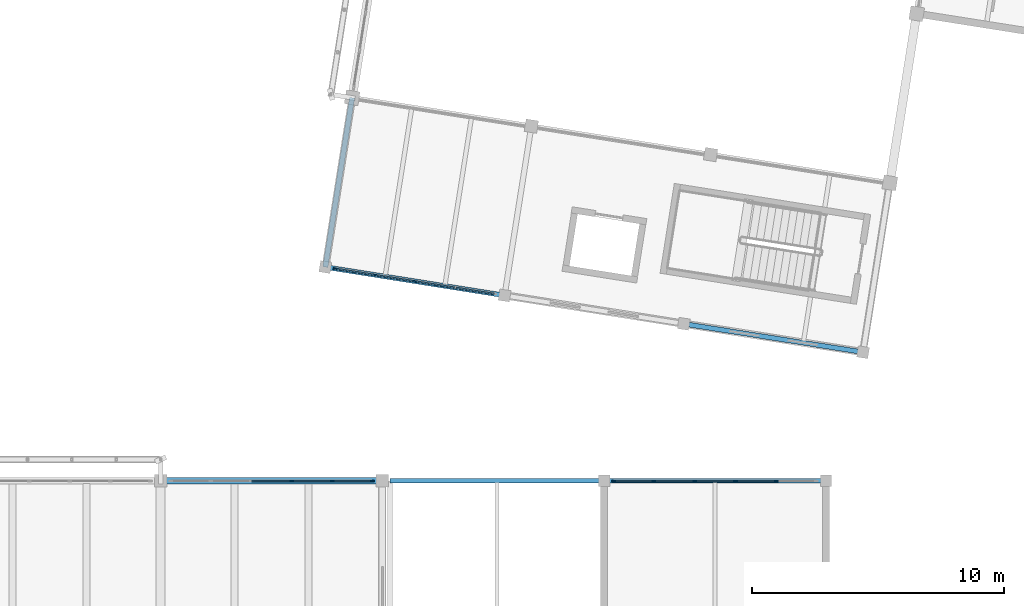
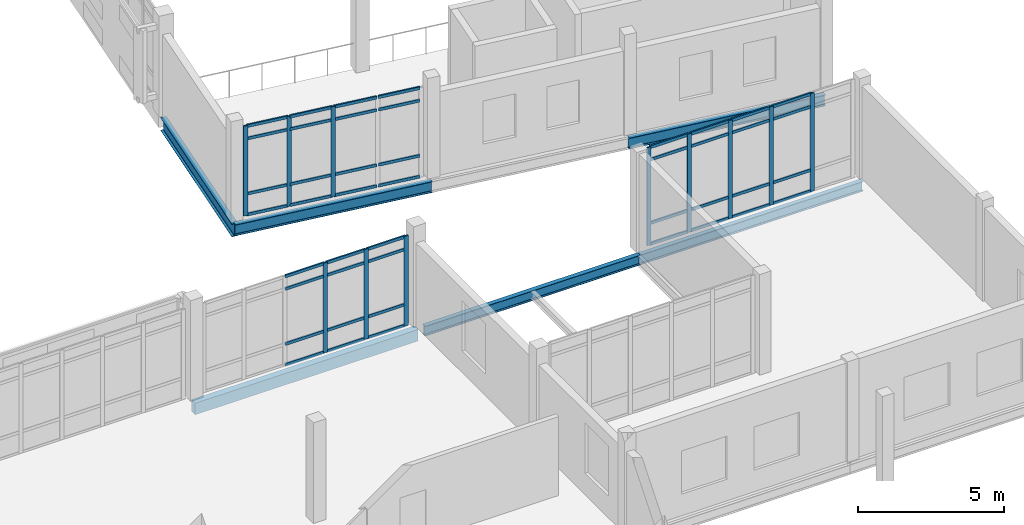
# One storey, part 36 of 137: 55 members, 6 beams, 3 elements without a shape of their own.
"""IFC4 building model written with IfcOpenShell, lengths in metres."""

from ifc_helpers import new_model, si_unit, direction, frame, origin, origin_2d, place, context, subcontext, project, spatial, rectangle, i_section, extrude, material, material_profile, profile_set, type_object, element, aggregate, save


model = new_model("IFC4")

# Units and contexts
model_context = context("Model", 3, precision=1e-05, world=origin(), true_north=direction((0.0, 1.0)))
body_context = subcontext(model_context, "Body", "Model", "MODEL_VIEW")
ifc_project = project(units=[si_unit("LENGTHUNIT", "METRE"), si_unit("AREAUNIT", "SQUARE_METRE"), si_unit("VOLUMEUNIT", "CUBIC_METRE"), si_unit("PLANEANGLEUNIT", "RADIAN"), si_unit("MASSUNIT", "GRAM", prefix="KILO")], contexts=[model_context])

# Site, building, storey
site_placement = place(None, origin())
site = spatial("IfcSite", under=ifc_project, at=site_placement, CompositionType="ELEMENT")
building_placement = place(site_placement, origin())
building = spatial("IfcBuilding", under=site, at=building_placement, Name="Cinderway Yard Community Centre", CompositionType="ELEMENT")
storey_placement = place(building_placement, frame((0.0, 0.0, 4.800048828125)))
storey = spatial("IfcBuildingStorey", under=building, at=storey_placement, Name="L01", CompositionType="ELEMENT", Elevation=4.800048828125)

# Curtain wall, members
ifc_material_1 = material(Name="Aluminium 6063-T6", Category="aluminium")
curtain_wall_type_1 = type_object("IfcCurtainWallType", Name="ENV-CW-TYPE-15", PredefinedType="USERDEFINED", material=ifc_material_1)
curtain_wall_1_placement = place(storey_placement, origin())
curtain_wall_1 = element("IfcCurtainWall", 1, at=curtain_wall_1_placement, inside=storey, type_object=curtain_wall_type_1, Name="Sports South Lobby Curtain Wall ENV-CW-L01-ST-0057", ObjectType="GLAZED CURTAIN WALL", PredefinedType="USERDEFINED")
ifc_material_profile_1 = material_profile(ifc_material_1, rectangle(XDim=0.06005859375, YDim=0.159912109375, at=origin_2d()), Name="Aluminium 6063-T6")
ifc_profile_set_1 = profile_set([ifc_material_profile_1], Name="Aluminium 6063-T6")
member_type_1 = type_object("IfcMemberType", Name="ENV-CW-MULL-150", PredefinedType="MULLION", material=ifc_profile_set_1)
member_1_placement = place(storey_placement, frame((117.321533203125, 31.223388671875, 0.0), z_axis=(0.0, 0.0, 1.0), x_axis=(0.156636128875, 0.987656379077, 0.0)))
member_1 = element("IfcMember", 2, at=member_1_placement, type_object=member_type_1, Name="CW-15 mullion 1", PredefinedType="MULLION", context=body_context, shape_type="SweptSolid", body=[
    extrude(rectangle(XDim=0.06005859375, YDim=0.159912109375, at=origin_2d()), origin(), (0.0, 0.0, 1.0), 3.75),
])
member_2_placement = place(storey_placement, frame((118.89208984375, 30.974365234375, 0.0), z_axis=(0.0, 0.0, 1.0), x_axis=(0.156636128875, 0.987656379077, 0.0)))
member_2 = element("IfcMember", 3, at=member_2_placement, type_object=member_type_1, Name="CW-15 mullion 2", PredefinedType="MULLION", context=body_context, shape_type="SweptSolid", body=[
    extrude(rectangle(XDim=0.06005859375, YDim=0.159912109375, at=origin_2d()), origin(), (0.0, 0.0, 1.0), 3.75),
])
member_3_placement = place(storey_placement, frame((120.491943359375, 30.720458984375, 0.0), z_axis=(0.0, 0.0, 1.0), x_axis=(0.156636128875, 0.987656379077, 0.0)))
member_3 = element("IfcMember", 4, at=member_3_placement, type_object=member_type_1, Name="CW-15 mullion 3", PredefinedType="MULLION", context=body_context, shape_type="SweptSolid", body=[
    extrude(rectangle(XDim=0.06005859375, YDim=0.159912109375, at=origin_2d()), origin(), (0.0, 0.0, 1.0), 3.75),
])

curtain_wall_type_2 = type_object("IfcCurtainWallType", Name="ENV-CW-TYPE-27", PredefinedType="USERDEFINED", material=ifc_material_1)
curtain_wall_2_placement = place(storey_placement, origin())
curtain_wall_2 = element("IfcCurtainWall", 5, at=curtain_wall_2_placement, inside=storey, type_object=curtain_wall_type_2, Name="Dining Courtyard Curtain Wall ENV-CW-L01-ST-0099", ObjectType="GLAZED CURTAIN WALL", PredefinedType="USERDEFINED")
member_4_placement = place(storey_placement, frame((115.60400390625, 22.800048828125, 0.0), z_axis=(0.0, 0.0, 1.0), x_axis=(0.0, 1.0, 0.0)))
member_4 = element("IfcMember", 6, at=member_4_placement, type_object=member_type_1, Name="CW-27 mullion 4", PredefinedType="MULLION", context=body_context, shape_type="SweptSolid", body=[
    extrude(rectangle(XDim=0.06005859375, YDim=0.159912109375, at=origin_2d()), origin(), (0.0, 0.0, 1.0), 3.75),
])
member_5_placement = place(storey_placement, frame((117.2119140625, 22.800048828125, 0.0), z_axis=(0.0, 0.0, 1.0), x_axis=(0.0, 1.0, 0.0)))
member_5 = element("IfcMember", 7, at=member_5_placement, type_object=member_type_1, Name="CW-27 mullion 5", PredefinedType="MULLION", context=body_context, shape_type="SweptSolid", body=[
    extrude(rectangle(XDim=0.06005859375, YDim=0.159912109375, at=origin_2d()), origin(), (0.0, 0.0, 1.0), 3.75),
])
member_6_placement = place(storey_placement, frame((118.7900390625, 22.800048828125, 0.0), z_axis=(0.0, 0.0, 1.0), x_axis=(0.0, 1.0, 0.0)))
member_6 = element("IfcMember", 8, at=member_6_placement, type_object=member_type_1, Name="CW-27 mullion 6", PredefinedType="MULLION", context=body_context, shape_type="SweptSolid", body=[
    extrude(rectangle(XDim=0.06005859375, YDim=0.159912109375, at=origin_2d()), origin(), (0.0, 0.0, 1.0), 3.75),
])

curtain_wall_type_3 = type_object("IfcCurtainWallType", Name="ENV-CW-TYPE-37", PredefinedType="USERDEFINED", material=ifc_material_1)
curtain_wall_3_placement = place(storey_placement, origin())
curtain_wall_3 = element("IfcCurtainWall", 9, at=curtain_wall_3_placement, inside=storey, type_object=curtain_wall_type_3, Name="East Arcade Kiosk Curtain Wall ENV-CW-L01-ST-0202", ObjectType="GLAZED CURTAIN WALL", PredefinedType="USERDEFINED")
member_7_placement = place(storey_placement, frame((128.3798828125, 22.800048828125, 0.0), z_axis=(0.0, 0.0, 1.0), x_axis=(0.0, 1.0, 0.0)))
member_7 = element("IfcMember", 10, at=member_7_placement, type_object=member_type_1, Name="CW-37 mullion 1", PredefinedType="MULLION", context=body_context, shape_type="SweptSolid", body=[
    extrude(rectangle(XDim=0.06005859375, YDim=0.159912109375, at=origin_2d()), origin(), (0.0, 0.0, 1.0), 4.099853515625),
])
member_8_placement = place(storey_placement, frame((129.969970703125, 22.800048828125, 0.0), z_axis=(0.0, 0.0, 1.0), x_axis=(0.0, 1.0, 0.0)))
member_8 = element("IfcMember", 11, at=member_8_placement, type_object=member_type_1, Name="CW-37 mullion 2", PredefinedType="MULLION", context=body_context, shape_type="SweptSolid", body=[
    extrude(rectangle(XDim=0.06005859375, YDim=0.159912109375, at=origin_2d()), origin(), (0.0, 0.0, 1.0), 4.099853515625),
])
member_9_placement = place(storey_placement, frame((131.590087890625, 22.800048828125, 0.0), z_axis=(0.0, 0.0, 1.0), x_axis=(0.0, 1.0, 0.0)))
member_9 = element("IfcMember", 12, at=member_9_placement, type_object=member_type_1, Name="CW-37 mullion 3", PredefinedType="MULLION", context=body_context, shape_type="SweptSolid", body=[
    extrude(rectangle(XDim=0.06005859375, YDim=0.159912109375, at=origin_2d()), origin(), (0.0, 0.0, 1.0), 4.099853515625),
])
member_10_placement = place(storey_placement, frame((133.2099609375, 22.800048828125, 0.0), z_axis=(0.0, 0.0, 1.0), x_axis=(0.0, 1.0, 0.0)))
member_10 = element("IfcMember", 13, at=member_10_placement, type_object=member_type_1, Name="CW-37 mullion 4", PredefinedType="MULLION", context=body_context, shape_type="SweptSolid", body=[
    extrude(rectangle(XDim=0.06005859375, YDim=0.159912109375, at=origin_2d()), origin(), (0.0, 0.0, 1.0), 4.099853515625),
])
member_11_placement = place(storey_placement, frame((134.830078125, 22.800048828125, 0.0), z_axis=(0.0, 0.0, 1.0), x_axis=(0.0, 1.0, 0.0)))
member_11 = element("IfcMember", 14, at=member_11_placement, type_object=member_type_1, Name="CW-37 mullion 5", PredefinedType="MULLION", context=body_context, shape_type="SweptSolid", body=[
    extrude(rectangle(XDim=0.06005859375, YDim=0.159912109375, at=origin_2d()), origin(), (0.0, 0.0, 1.0), 4.099853515625),
])

# Member
ifc_material_profile_2 = material_profile(ifc_material_1, rectangle(XDim=0.06005859375, YDim=0.1201171875, at=origin_2d()), Name="Aluminium 6063-T6")
ifc_profile_set_2 = profile_set([ifc_material_profile_2], Name="Aluminium 6063-T6")
member_type_2 = type_object("IfcMemberType", Name="ENV-CW-TRAN-110", PredefinedType="USERDEFINED", material=ifc_profile_set_2)
member_12_placement = place(storey_placement, frame((117.351318359375, 31.218505859375, 0.030029296875), z_axis=(0.987669626151, -0.156552577679, 0.0), x_axis=(0.156552577679, 0.987669626151, 0.0)))
member_12 = element("IfcMember", 15, at=member_12_placement, type_object=member_type_2, Name="CW-15 transom 1.1", ObjectType="TRANSOM", PredefinedType="USERDEFINED", context=body_context, shape_type="SweptSolid", body=[
    extrude(rectangle(XDim=0.06005859375, YDim=0.1201171875, at=origin_2d()), origin(), (0.0, 0.0, 1.0), 1.52978515625),
])

member_13_placement = place(storey_placement, frame((117.351318359375, 31.218505859375, 0.89990234375), z_axis=(0.987669626151, -0.156552577679, 0.0), x_axis=(0.156552577679, 0.987669626151, 0.0)))
member_13 = element("IfcMember", 16, at=member_13_placement, type_object=member_type_2, Name="CW-15 transom 1.2", ObjectType="TRANSOM", PredefinedType="USERDEFINED", context=body_context, shape_type="SweptSolid", body=[
    extrude(rectangle(XDim=0.06005859375, YDim=0.1201171875, at=origin_2d()), origin(), (0.0, 0.0, 1.0), 1.52978515625),
])

member_14_placement = place(storey_placement, frame((117.351318359375, 31.218505859375, 3.199951171875), z_axis=(0.987669626151, -0.156552577679, 0.0), x_axis=(0.156552577679, 0.987669626151, 0.0)))
member_14 = element("IfcMember", 17, at=member_14_placement, type_object=member_type_2, Name="CW-15 transom 1.3", ObjectType="TRANSOM", PredefinedType="USERDEFINED", context=body_context, shape_type="SweptSolid", body=[
    extrude(rectangle(XDim=0.06005859375, YDim=0.1201171875, at=origin_2d()), origin(), (0.0, 0.0, 1.0), 1.52978515625),
])

member_15_placement = place(storey_placement, frame((117.351318359375, 31.218505859375, 3.719970703125), z_axis=(0.987669626151, -0.156552577679, 0.0), x_axis=(0.156552577679, 0.987669626151, 0.0)))
member_15 = element("IfcMember", 18, at=member_15_placement, type_object=member_type_2, Name="CW-15 transom 1.4", ObjectType="TRANSOM", PredefinedType="USERDEFINED", context=body_context, shape_type="SweptSolid", body=[
    extrude(rectangle(XDim=0.06005859375, YDim=0.1201171875, at=origin_2d()), origin(), (0.0, 0.0, 1.0), 1.52978515625),
])

member_16_placement = place(storey_placement, frame((118.921630859375, 30.969482421875, 0.030029296875), z_axis=(0.987653598494, -0.156653660607, 0.0), x_axis=(0.156653660607, 0.987653598494, 0.0)))
member_16 = element("IfcMember", 19, at=member_16_placement, type_object=member_type_2, Name="CW-15 transom 2.1", ObjectType="TRANSOM", PredefinedType="USERDEFINED", context=body_context, shape_type="SweptSolid", body=[
    extrude(rectangle(XDim=0.06005859375, YDim=0.1201171875, at=origin_2d()), origin(), (0.0, 0.0, 1.0), 1.56005859375),
])

member_17_placement = place(storey_placement, frame((118.921630859375, 30.969482421875, 0.89990234375), z_axis=(0.987653598494, -0.156653660607, 0.0), x_axis=(0.156653660607, 0.987653598494, 0.0)))
member_17 = element("IfcMember", 20, at=member_17_placement, type_object=member_type_2, Name="CW-15 transom 2.2", ObjectType="TRANSOM", PredefinedType="USERDEFINED", context=body_context, shape_type="SweptSolid", body=[
    extrude(rectangle(XDim=0.06005859375, YDim=0.1201171875, at=origin_2d()), origin(), (0.0, 0.0, 1.0), 1.56005859375),
])

member_18_placement = place(storey_placement, frame((118.921630859375, 30.969482421875, 3.199951171875), z_axis=(0.987653598494, -0.156653660607, 0.0), x_axis=(0.156653660607, 0.987653598494, 0.0)))
member_18 = element("IfcMember", 21, at=member_18_placement, type_object=member_type_2, Name="CW-15 transom 2.3", ObjectType="TRANSOM", PredefinedType="USERDEFINED", context=body_context, shape_type="SweptSolid", body=[
    extrude(rectangle(XDim=0.06005859375, YDim=0.1201171875, at=origin_2d()), origin(), (0.0, 0.0, 1.0), 1.56005859375),
])

member_19_placement = place(storey_placement, frame((118.921630859375, 30.969482421875, 3.719970703125), z_axis=(0.987653598494, -0.156653660607, 0.0), x_axis=(0.156653660607, 0.987653598494, 0.0)))
member_19 = element("IfcMember", 22, at=member_19_placement, type_object=member_type_2, Name="CW-15 transom 2.4", ObjectType="TRANSOM", PredefinedType="USERDEFINED", context=body_context, shape_type="SweptSolid", body=[
    extrude(rectangle(XDim=0.06005859375, YDim=0.1201171875, at=origin_2d()), origin(), (0.0, 0.0, 1.0), 1.56005859375),
])

member_20_placement = place(storey_placement, frame((120.521728515625, 30.7158203125, 0.030029296875), z_axis=(0.987649757105, -0.156677877474, 0.0), x_axis=(0.156677877474, 0.987649757105, 0.0)))
member_20 = element("IfcMember", 23, at=member_20_placement, type_object=member_type_2, Name="CW-15 transom 3.1", ObjectType="TRANSOM", PredefinedType="USERDEFINED", context=body_context, shape_type="SweptSolid", body=[
    extrude(rectangle(XDim=0.06005859375, YDim=0.1201171875, at=origin_2d()), origin(), (0.0, 0.0, 1.0), 1.559814453125),
])

member_21_placement = place(storey_placement, frame((120.521728515625, 30.7158203125, 0.89990234375), z_axis=(0.987649757105, -0.156677877474, 0.0), x_axis=(0.156677877474, 0.987649757105, 0.0)))
member_21 = element("IfcMember", 24, at=member_21_placement, type_object=member_type_2, Name="CW-15 transom 3.2", ObjectType="TRANSOM", PredefinedType="USERDEFINED", context=body_context, shape_type="SweptSolid", body=[
    extrude(rectangle(XDim=0.06005859375, YDim=0.1201171875, at=origin_2d()), origin(), (0.0, 0.0, 1.0), 1.559814453125),
])

member_22_placement = place(storey_placement, frame((120.521728515625, 30.7158203125, 3.199951171875), z_axis=(0.987649757105, -0.156677877474, 0.0), x_axis=(0.156677877474, 0.987649757105, 0.0)))
member_22 = element("IfcMember", 25, at=member_22_placement, type_object=member_type_2, Name="CW-15 transom 3.3", ObjectType="TRANSOM", PredefinedType="USERDEFINED", context=body_context, shape_type="SweptSolid", body=[
    extrude(rectangle(XDim=0.06005859375, YDim=0.1201171875, at=origin_2d()), origin(), (0.0, 0.0, 1.0), 1.559814453125),
])

member_23_placement = place(storey_placement, frame((120.521728515625, 30.7158203125, 3.719970703125), z_axis=(0.987649757105, -0.156677877474, 0.0), x_axis=(0.156677877474, 0.987649757105, 0.0)))
member_23 = element("IfcMember", 26, at=member_23_placement, type_object=member_type_2, Name="CW-15 transom 3.4", ObjectType="TRANSOM", PredefinedType="USERDEFINED", context=body_context, shape_type="SweptSolid", body=[
    extrude(rectangle(XDim=0.06005859375, YDim=0.1201171875, at=origin_2d()), origin(), (0.0, 0.0, 1.0), 1.559814453125),
])

member_24_placement = place(storey_placement, frame((122.12158203125, 30.462158203125, 0.030029296875), z_axis=(0.987648857134, -0.156683550518, 0.0), x_axis=(0.156683550518, 0.987648857134, 0.0)))
member_24 = element("IfcMember", 27, at=member_24_placement, type_object=member_type_2, Name="CW-15 transom 4.1", ObjectType="TRANSOM", PredefinedType="USERDEFINED", context=body_context, shape_type="SweptSolid", body=[
    extrude(rectangle(XDim=0.06005859375, YDim=0.1201171875, at=origin_2d()), origin(), (0.0, 0.0, 1.0), 1.530029296875),
])

member_25_placement = place(storey_placement, frame((122.12158203125, 30.462158203125, 0.89990234375), z_axis=(0.987648857134, -0.156683550518, 0.0), x_axis=(0.156683550518, 0.987648857134, 0.0)))
member_25 = element("IfcMember", 28, at=member_25_placement, type_object=member_type_2, Name="CW-15 transom 4.2", ObjectType="TRANSOM", PredefinedType="USERDEFINED", context=body_context, shape_type="SweptSolid", body=[
    extrude(rectangle(XDim=0.06005859375, YDim=0.1201171875, at=origin_2d()), origin(), (0.0, 0.0, 1.0), 1.530029296875),
])

member_26_placement = place(storey_placement, frame((122.12158203125, 30.462158203125, 3.199951171875), z_axis=(0.987648857134, -0.156683550518, 0.0), x_axis=(0.156683550518, 0.987648857134, 0.0)))
member_26 = element("IfcMember", 29, at=member_26_placement, type_object=member_type_2, Name="CW-15 transom 4.3", ObjectType="TRANSOM", PredefinedType="USERDEFINED", context=body_context, shape_type="SweptSolid", body=[
    extrude(rectangle(XDim=0.06005859375, YDim=0.1201171875, at=origin_2d()), origin(), (0.0, 0.0, 1.0), 1.530029296875),
])

member_27_placement = place(storey_placement, frame((122.12158203125, 30.462158203125, 3.719970703125), z_axis=(0.987648857134, -0.156683550518, 0.0), x_axis=(0.156683550518, 0.987648857134, 0.0)))
member_27 = element("IfcMember", 30, at=member_27_placement, type_object=member_type_2, Name="CW-15 transom 4.4", ObjectType="TRANSOM", PredefinedType="USERDEFINED", context=body_context, shape_type="SweptSolid", body=[
    extrude(rectangle(XDim=0.06005859375, YDim=0.1201171875, at=origin_2d()), origin(), (0.0, 0.0, 1.0), 1.530029296875),
])

aggregate(curtain_wall_1, [member_1, member_2, member_3, member_12, member_13, member_14, member_15, member_16, member_17, member_18, member_19, member_20, member_21, member_22, member_23, member_24, member_25, member_26, member_27])

member_28_placement = place(storey_placement, frame((114.02587890625, 22.800048828125, 0.030029296875), z_axis=(1.0, 0.0, 0.0), x_axis=(0.0, 1.0, 0.0)))
member_28 = element("IfcMember", 31, at=member_28_placement, type_object=member_type_2, Name="CW-27 transom 3.1", ObjectType="TRANSOM", PredefinedType="USERDEFINED", context=body_context, shape_type="SweptSolid", body=[
    extrude(rectangle(XDim=0.06005859375, YDim=0.1201171875, at=origin_2d()), origin(), (0.0, 0.0, 1.0), 1.548095703125),
])

member_29_placement = place(storey_placement, frame((114.02587890625, 22.800048828125, 0.89990234375), z_axis=(1.0, 0.0, 0.0), x_axis=(0.0, 1.0, 0.0)))
member_29 = element("IfcMember", 32, at=member_29_placement, type_object=member_type_2, Name="CW-27 transom 3.2", ObjectType="TRANSOM", PredefinedType="USERDEFINED", context=body_context, shape_type="SweptSolid", body=[
    extrude(rectangle(XDim=0.06005859375, YDim=0.1201171875, at=origin_2d()), origin(), (0.0, 0.0, 1.0), 1.548095703125),
])

member_30_placement = place(storey_placement, frame((114.02587890625, 22.800048828125, 3.199951171875), z_axis=(1.0, 0.0, 0.0), x_axis=(0.0, 1.0, 0.0)))
member_30 = element("IfcMember", 33, at=member_30_placement, type_object=member_type_2, Name="CW-27 transom 3.3", ObjectType="TRANSOM", PredefinedType="USERDEFINED", context=body_context, shape_type="SweptSolid", body=[
    extrude(rectangle(XDim=0.06005859375, YDim=0.1201171875, at=origin_2d()), origin(), (0.0, 0.0, 1.0), 1.548095703125),
])

member_31_placement = place(storey_placement, frame((114.02587890625, 22.800048828125, 3.719970703125), z_axis=(1.0, 0.0, 0.0), x_axis=(0.0, 1.0, 0.0)))
member_31 = element("IfcMember", 34, at=member_31_placement, type_object=member_type_2, Name="CW-27 transom 3.4", ObjectType="TRANSOM", PredefinedType="USERDEFINED", context=body_context, shape_type="SweptSolid", body=[
    extrude(rectangle(XDim=0.06005859375, YDim=0.1201171875, at=origin_2d()), origin(), (0.0, 0.0, 1.0), 1.548095703125),
])

member_32_placement = place(storey_placement, frame((115.634033203125, 22.800048828125, 0.030029296875), z_axis=(1.0, 0.0, 0.0), x_axis=(0.0, 1.0, 0.0)))
member_32 = element("IfcMember", 35, at=member_32_placement, type_object=member_type_2, Name="CW-27 transom 4.1", ObjectType="TRANSOM", PredefinedType="USERDEFINED", context=body_context, shape_type="SweptSolid", body=[
    extrude(rectangle(XDim=0.06005859375, YDim=0.1201171875, at=origin_2d()), origin(), (0.0, 0.0, 1.0), 1.5478515625),
])

member_33_placement = place(storey_placement, frame((115.634033203125, 22.800048828125, 0.89990234375), z_axis=(1.0, 0.0, 0.0), x_axis=(0.0, 1.0, 0.0)))
member_33 = element("IfcMember", 36, at=member_33_placement, type_object=member_type_2, Name="CW-27 transom 4.2", ObjectType="TRANSOM", PredefinedType="USERDEFINED", context=body_context, shape_type="SweptSolid", body=[
    extrude(rectangle(XDim=0.06005859375, YDim=0.1201171875, at=origin_2d()), origin(), (0.0, 0.0, 1.0), 1.5478515625),
])

member_34_placement = place(storey_placement, frame((115.634033203125, 22.800048828125, 3.199951171875), z_axis=(1.0, 0.0, 0.0), x_axis=(0.0, 1.0, 0.0)))
member_34 = element("IfcMember", 37, at=member_34_placement, type_object=member_type_2, Name="CW-27 transom 4.3", ObjectType="TRANSOM", PredefinedType="USERDEFINED", context=body_context, shape_type="SweptSolid", body=[
    extrude(rectangle(XDim=0.06005859375, YDim=0.1201171875, at=origin_2d()), origin(), (0.0, 0.0, 1.0), 1.5478515625),
])

member_35_placement = place(storey_placement, frame((115.634033203125, 22.800048828125, 3.719970703125), z_axis=(1.0, 0.0, 0.0), x_axis=(0.0, 1.0, 0.0)))
member_35 = element("IfcMember", 38, at=member_35_placement, type_object=member_type_2, Name="CW-27 transom 4.4", ObjectType="TRANSOM", PredefinedType="USERDEFINED", context=body_context, shape_type="SweptSolid", body=[
    extrude(rectangle(XDim=0.06005859375, YDim=0.1201171875, at=origin_2d()), origin(), (0.0, 0.0, 1.0), 1.5478515625),
])

member_36_placement = place(storey_placement, frame((117.241943359375, 22.800048828125, 0.030029296875), z_axis=(1.0, 0.0, 0.0), x_axis=(0.0, 1.0, 0.0)))
member_36 = element("IfcMember", 39, at=member_36_placement, type_object=member_type_2, Name="CW-27 transom 5.1", ObjectType="TRANSOM", PredefinedType="USERDEFINED", context=body_context, shape_type="SweptSolid", body=[
    extrude(rectangle(XDim=0.06005859375, YDim=0.1201171875, at=origin_2d()), origin(), (0.0, 0.0, 1.0), 1.51806640625),
])

member_37_placement = place(storey_placement, frame((117.241943359375, 22.800048828125, 0.89990234375), z_axis=(1.0, 0.0, 0.0), x_axis=(0.0, 1.0, 0.0)))
member_37 = element("IfcMember", 40, at=member_37_placement, type_object=member_type_2, Name="CW-27 transom 5.2", ObjectType="TRANSOM", PredefinedType="USERDEFINED", context=body_context, shape_type="SweptSolid", body=[
    extrude(rectangle(XDim=0.06005859375, YDim=0.1201171875, at=origin_2d()), origin(), (0.0, 0.0, 1.0), 1.51806640625),
])

member_38_placement = place(storey_placement, frame((117.241943359375, 22.800048828125, 3.199951171875), z_axis=(1.0, 0.0, 0.0), x_axis=(0.0, 1.0, 0.0)))
member_38 = element("IfcMember", 41, at=member_38_placement, type_object=member_type_2, Name="CW-27 transom 5.3", ObjectType="TRANSOM", PredefinedType="USERDEFINED", context=body_context, shape_type="SweptSolid", body=[
    extrude(rectangle(XDim=0.06005859375, YDim=0.1201171875, at=origin_2d()), origin(), (0.0, 0.0, 1.0), 1.51806640625),
])

member_39_placement = place(storey_placement, frame((117.241943359375, 22.800048828125, 3.719970703125), z_axis=(1.0, 0.0, 0.0), x_axis=(0.0, 1.0, 0.0)))
member_39 = element("IfcMember", 42, at=member_39_placement, type_object=member_type_2, Name="CW-27 transom 5.4", ObjectType="TRANSOM", PredefinedType="USERDEFINED", context=body_context, shape_type="SweptSolid", body=[
    extrude(rectangle(XDim=0.06005859375, YDim=0.1201171875, at=origin_2d()), origin(), (0.0, 0.0, 1.0), 1.51806640625),
])

aggregate(curtain_wall_2, [member_4, member_5, member_6, member_28, member_29, member_30, member_31, member_32, member_33, member_34, member_35, member_36, member_37, member_38, member_39])

member_40_placement = place(storey_placement, frame((128.409912109375, 22.800048828125, 0.030029296875), z_axis=(1.0, 0.0, 0.0), x_axis=(0.0, 1.0, 0.0)))
member_40 = element("IfcMember", 43, at=member_40_placement, type_object=member_type_2, Name="CW-37 transom 1.1", ObjectType="TRANSOM", PredefinedType="USERDEFINED", context=body_context, shape_type="SweptSolid", body=[
    extrude(rectangle(XDim=0.06005859375, YDim=0.1201171875, at=origin_2d()), origin(), (0.0, 0.0, 1.0), 1.530029296875),
])

member_41_placement = place(storey_placement, frame((128.409912109375, 22.800048828125, 0.89990234375), z_axis=(1.0, 0.0, 0.0), x_axis=(0.0, 1.0, 0.0)))
member_41 = element("IfcMember", 44, at=member_41_placement, type_object=member_type_2, Name="CW-37 transom 1.2", ObjectType="TRANSOM", PredefinedType="USERDEFINED", context=body_context, shape_type="SweptSolid", body=[
    extrude(rectangle(XDim=0.06005859375, YDim=0.1201171875, at=origin_2d()), origin(), (0.0, 0.0, 1.0), 1.530029296875),
])

member_42_placement = place(storey_placement, frame((128.409912109375, 22.800048828125, 3.550048828125), z_axis=(1.0, 0.0, 0.0), x_axis=(0.0, 1.0, 0.0)))
member_42 = element("IfcMember", 45, at=member_42_placement, type_object=member_type_2, Name="CW-37 transom 1.3", ObjectType="TRANSOM", PredefinedType="USERDEFINED", context=body_context, shape_type="SweptSolid", body=[
    extrude(rectangle(XDim=0.06005859375, YDim=0.1201171875, at=origin_2d()), origin(), (0.0, 0.0, 1.0), 1.530029296875),
])

member_43_placement = place(storey_placement, frame((128.409912109375, 22.800048828125, 4.070068359375), z_axis=(1.0, 0.0, 0.0), x_axis=(0.0, 1.0, 0.0)))
member_43 = element("IfcMember", 46, at=member_43_placement, type_object=member_type_2, Name="CW-37 transom 1.4", ObjectType="TRANSOM", PredefinedType="USERDEFINED", context=body_context, shape_type="SweptSolid", body=[
    extrude(rectangle(XDim=0.06005859375, YDim=0.1201171875, at=origin_2d()), origin(), (0.0, 0.0, 1.0), 1.530029296875),
])

member_44_placement = place(storey_placement, frame((130.0, 22.800048828125, 0.030029296875), z_axis=(1.0, 0.0, 0.0), x_axis=(0.0, 1.0, 0.0)))
member_44 = element("IfcMember", 47, at=member_44_placement, type_object=member_type_2, Name="CW-37 transom 2.1", ObjectType="TRANSOM", PredefinedType="USERDEFINED", context=body_context, shape_type="SweptSolid", body=[
    extrude(rectangle(XDim=0.06005859375, YDim=0.1201171875, at=origin_2d()), origin(), (0.0, 0.0, 1.0), 1.56005859375),
])

member_45_placement = place(storey_placement, frame((130.0, 22.800048828125, 0.89990234375), z_axis=(1.0, 0.0, 0.0), x_axis=(0.0, 1.0, 0.0)))
member_45 = element("IfcMember", 48, at=member_45_placement, type_object=member_type_2, Name="CW-37 transom 2.2", ObjectType="TRANSOM", PredefinedType="USERDEFINED", context=body_context, shape_type="SweptSolid", body=[
    extrude(rectangle(XDim=0.06005859375, YDim=0.1201171875, at=origin_2d()), origin(), (0.0, 0.0, 1.0), 1.56005859375),
])

member_46_placement = place(storey_placement, frame((130.0, 22.800048828125, 3.550048828125), z_axis=(1.0, 0.0, 0.0), x_axis=(0.0, 1.0, 0.0)))
member_46 = element("IfcMember", 49, at=member_46_placement, type_object=member_type_2, Name="CW-37 transom 2.3", ObjectType="TRANSOM", PredefinedType="USERDEFINED", context=body_context, shape_type="SweptSolid", body=[
    extrude(rectangle(XDim=0.06005859375, YDim=0.1201171875, at=origin_2d()), origin(), (0.0, 0.0, 1.0), 1.56005859375),
])

member_47_placement = place(storey_placement, frame((130.0, 22.800048828125, 4.070068359375), z_axis=(1.0, 0.0, 0.0), x_axis=(0.0, 1.0, 0.0)))
member_47 = element("IfcMember", 50, at=member_47_placement, type_object=member_type_2, Name="CW-37 transom 2.4", ObjectType="TRANSOM", PredefinedType="USERDEFINED", context=body_context, shape_type="SweptSolid", body=[
    extrude(rectangle(XDim=0.06005859375, YDim=0.1201171875, at=origin_2d()), origin(), (0.0, 0.0, 1.0), 1.56005859375),
])

member_48_placement = place(storey_placement, frame((131.6201171875, 22.800048828125, 0.030029296875), z_axis=(1.0, 0.0, 0.0), x_axis=(0.0, 1.0, 0.0)))
member_48 = element("IfcMember", 51, at=member_48_placement, type_object=member_type_2, Name="CW-37 transom 3.1", ObjectType="TRANSOM", PredefinedType="USERDEFINED", context=body_context, shape_type="SweptSolid", body=[
    extrude(rectangle(XDim=0.06005859375, YDim=0.1201171875, at=origin_2d()), origin(), (0.0, 0.0, 1.0), 1.559814453125),
])

member_49_placement = place(storey_placement, frame((131.6201171875, 22.800048828125, 0.89990234375), z_axis=(1.0, 0.0, 0.0), x_axis=(0.0, 1.0, 0.0)))
member_49 = element("IfcMember", 52, at=member_49_placement, type_object=member_type_2, Name="CW-37 transom 3.2", ObjectType="TRANSOM", PredefinedType="USERDEFINED", context=body_context, shape_type="SweptSolid", body=[
    extrude(rectangle(XDim=0.06005859375, YDim=0.1201171875, at=origin_2d()), origin(), (0.0, 0.0, 1.0), 1.559814453125),
])

member_50_placement = place(storey_placement, frame((131.6201171875, 22.800048828125, 3.550048828125), z_axis=(1.0, 0.0, 0.0), x_axis=(0.0, 1.0, 0.0)))
member_50 = element("IfcMember", 53, at=member_50_placement, type_object=member_type_2, Name="CW-37 transom 3.3", ObjectType="TRANSOM", PredefinedType="USERDEFINED", context=body_context, shape_type="SweptSolid", body=[
    extrude(rectangle(XDim=0.06005859375, YDim=0.1201171875, at=origin_2d()), origin(), (0.0, 0.0, 1.0), 1.559814453125),
])

member_51_placement = place(storey_placement, frame((131.6201171875, 22.800048828125, 4.070068359375), z_axis=(1.0, 0.0, 0.0), x_axis=(0.0, 1.0, 0.0)))
member_51 = element("IfcMember", 54, at=member_51_placement, type_object=member_type_2, Name="CW-37 transom 3.4", ObjectType="TRANSOM", PredefinedType="USERDEFINED", context=body_context, shape_type="SweptSolid", body=[
    extrude(rectangle(XDim=0.06005859375, YDim=0.1201171875, at=origin_2d()), origin(), (0.0, 0.0, 1.0), 1.559814453125),
])

member_52_placement = place(storey_placement, frame((133.239990234375, 22.800048828125, 0.030029296875), z_axis=(1.0, 0.0, 0.0), x_axis=(0.0, 1.0, 0.0)))
member_52 = element("IfcMember", 55, at=member_52_placement, type_object=member_type_2, Name="CW-37 transom 4.1", ObjectType="TRANSOM", PredefinedType="USERDEFINED", context=body_context, shape_type="SweptSolid", body=[
    extrude(rectangle(XDim=0.06005859375, YDim=0.1201171875, at=origin_2d()), origin(), (0.0, 0.0, 1.0), 1.56005859375),
])

member_53_placement = place(storey_placement, frame((133.239990234375, 22.800048828125, 0.89990234375), z_axis=(1.0, 0.0, 0.0), x_axis=(0.0, 1.0, 0.0)))
member_53 = element("IfcMember", 56, at=member_53_placement, type_object=member_type_2, Name="CW-37 transom 4.2", ObjectType="TRANSOM", PredefinedType="USERDEFINED", context=body_context, shape_type="SweptSolid", body=[
    extrude(rectangle(XDim=0.06005859375, YDim=0.1201171875, at=origin_2d()), origin(), (0.0, 0.0, 1.0), 1.56005859375),
])

member_54_placement = place(storey_placement, frame((133.239990234375, 22.800048828125, 3.550048828125), z_axis=(1.0, 0.0, 0.0), x_axis=(0.0, 1.0, 0.0)))
member_54 = element("IfcMember", 57, at=member_54_placement, type_object=member_type_2, Name="CW-37 transom 4.3", ObjectType="TRANSOM", PredefinedType="USERDEFINED", context=body_context, shape_type="SweptSolid", body=[
    extrude(rectangle(XDim=0.06005859375, YDim=0.1201171875, at=origin_2d()), origin(), (0.0, 0.0, 1.0), 1.56005859375),
])

member_55_placement = place(storey_placement, frame((133.239990234375, 22.800048828125, 4.070068359375), z_axis=(1.0, 0.0, 0.0), x_axis=(0.0, 1.0, 0.0)))
member_55 = element("IfcMember", 58, at=member_55_placement, type_object=member_type_2, Name="CW-37 transom 4.4", ObjectType="TRANSOM", PredefinedType="USERDEFINED", context=body_context, shape_type="SweptSolid", body=[
    extrude(rectangle(XDim=0.06005859375, YDim=0.1201171875, at=origin_2d()), origin(), (0.0, 0.0, 1.0), 1.56005859375),
])

aggregate(curtain_wall_3, [member_7, member_8, member_9, member_10, member_11, member_40, member_41, member_42, member_43, member_44, member_45, member_46, member_47, member_48, member_49, member_50, member_51, member_52, member_53, member_54, member_55])

# Beams
ifc_material_2 = material(Name="Concrete C40/50", Category="concrete")
ifc_material_profile_3 = material_profile(ifc_material_2, rectangle(XDim=0.260009765625, YDim=0.47998046875, at=origin_2d()), Name="Concrete C40/50")
ifc_profile_set_3 = profile_set([ifc_material_profile_3], Name="Concrete C40/50")
beam_type_1 = type_object("IfcBeamType", Name="STR-BM-RC260X480", PredefinedType="SPANDREL", material=ifc_profile_set_3)
beam_1_placement = place(storey_placement, frame((110.39990234375, 22.800048828125, -0.47998046875), z_axis=(1.0, 0.0, 0.0), x_axis=(0.0, 1.0, 0.0)))
element("IfcBeam", 59, at=beam_1_placement, inside=storey, type_object=beam_type_1, Name="Primary girder STR-BM-L01-SP01-0131", PredefinedType="SPANDREL", context=body_context, shape_type="SweptSolid", body=[
    extrude(rectangle(XDim=0.260009765625, YDim=0.47998046875, at=origin_2d()), origin(), (0.0, 0.0, 1.0), 8.800048828125),
])
ifc_material_3 = material(Name="Steel S355", Category="steel")
ifc_material_profile_4 = material_profile(ifc_material_3, i_section(OverallWidth=0.178955078125, OverallDepth=0.409912109375, WebThickness=0.0087890625, FlangeThickness=0.013427734375, FilletRadius=0.011962890625, at=origin_2d()), Name="Steel S355")
ifc_profile_set_4 = profile_set([ifc_material_profile_4], Name="Steel S355")
beam_type_2 = type_object("IfcBeamType", Name="STR-BM-W410X67", PredefinedType="JOIST", material=ifc_profile_set_4)
beam_2_placement = place(storey_placement, frame((119.5, 22.800048828125, -0.445068359375), z_axis=(1.0, 0.0, 0.0), x_axis=(0.0, 1.0, 0.0)))
element("IfcBeam", 60, at=beam_2_placement, inside=storey, type_object=beam_type_2, Name="Primary girder STR-BM-L01-SJ02-0658", PredefinedType="JOIST", context=body_context, shape_type="SweptSolid", body=[
    extrude(i_section(OverallWidth=0.178955078125, OverallDepth=0.409912109375, WebThickness=0.0087890625, FlangeThickness=0.013427734375, FilletRadius=0.011962890625, at=origin_2d()), origin(), (0.0, 0.0, 1.0), 8.5),
])
beam_3_placement = place(storey_placement, frame((128.0, 22.800048828125, -0.445068359375), z_axis=(1.0, 0.0, 0.0), x_axis=(0.0, 1.0, 0.0)))
element("IfcBeam", 61, at=beam_3_placement, inside=storey, type_object=beam_type_2, Name="Primary girder STR-BM-L01-SJ02-0659", PredefinedType="JOIST", context=body_context, shape_type="SweptSolid", body=[
    extrude(i_section(OverallWidth=0.178955078125, OverallDepth=0.409912109375, WebThickness=0.0087890625, FlangeThickness=0.013427734375, FilletRadius=0.011962890625, at=origin_2d()), origin(), (0.0, 0.0, 1.0), 8.800048828125),
])
ifc_material_profile_5 = material_profile(ifc_material_3, i_section(OverallWidth=0.19091796875, OverallDepth=0.4599609375, WebThickness=0.010009765625, FlangeThickness=0.014404296875, FilletRadius=0.012939453125, at=origin_2d()), Name="Steel S355")
ifc_profile_set_5 = profile_set([ifc_material_profile_5], Name="Steel S355")
beam_type_3 = type_object("IfcBeamType", Name="STR-BM-W460X82", PredefinedType="JOIST", material=ifc_profile_set_5)
beam_4_placement = place(storey_placement, frame((116.93603515625, 31.283935546875, -0.469970703125), z_axis=(0.987677322138, -0.156504016992, 0.0), x_axis=(0.156504016992, 0.987677322138, 0.0)))
element("IfcBeam", 62, at=beam_4_placement, inside=storey, type_object=beam_type_3, Name="Primary girder STR-BM-L01-SJ01-0070", PredefinedType="JOIST", context=body_context, shape_type="SweptSolid", body=[
    extrude(i_section(OverallWidth=0.19091796875, OverallDepth=0.4599609375, WebThickness=0.010009765625, FlangeThickness=0.014404296875, FilletRadius=0.012939453125, at=origin_2d()), origin(), (0.0, 0.0, 1.0), 7.20068359375),
])
beam_5_placement = place(storey_placement, frame((131.158935546875, 29.031005859375, -0.469970703125), z_axis=(0.987694960149, -0.156392665095, 0.0), x_axis=(0.156392665095, 0.987694960149, 0.0)))
element("IfcBeam", 63, at=beam_5_placement, inside=storey, type_object=beam_type_3, Name="Primary girder STR-BM-L01-SJ01-0072", PredefinedType="JOIST", context=body_context, shape_type="SweptSolid", body=[
    extrude(i_section(OverallWidth=0.19091796875, OverallDepth=0.4599609375, WebThickness=0.010009765625, FlangeThickness=0.014404296875, FilletRadius=0.012939453125, at=origin_2d()), origin(), (0.0, 0.0, 1.0), 7.19970703125),
])
ifc_material_profile_6 = material_profile(ifc_material_3, i_section(OverallWidth=0.2109375, OverallDepth=0.5390625, WebThickness=0.010986328125, FlangeThickness=0.017333984375, FilletRadius=0.013916015625, at=origin_2d()), Name="Steel S355")
ifc_profile_set_6 = profile_set([ifc_material_profile_6], Name="Steel S355")
beam_type_4 = type_object("IfcBeamType", Name="STR-BM-W530X109", PredefinedType="BEAM", material=ifc_profile_set_6)
beam_6_placement = place(storey_placement, frame((116.93603515625, 31.283935546875, -0.510009765625), z_axis=(0.156469575446, 0.987682779013, 0.0), x_axis=(-0.987682779013, 0.156469575446, 0.0)))
element("IfcBeam", 64, at=beam_6_placement, inside=storey, type_object=beam_type_4, Name="Transverse girder STR-BM-L01-SB06-0076", PredefinedType="BEAM", context=body_context, shape_type="SweptSolid", body=[
    extrude(i_section(OverallWidth=0.2109375, OverallDepth=0.5390625, WebThickness=0.010986328125, FlangeThickness=0.017333984375, FilletRadius=0.013916015625, at=origin_2d()), origin(), (0.0, 0.0, 1.0), 6.7998046875),
])

save(model, "model.ifc")
